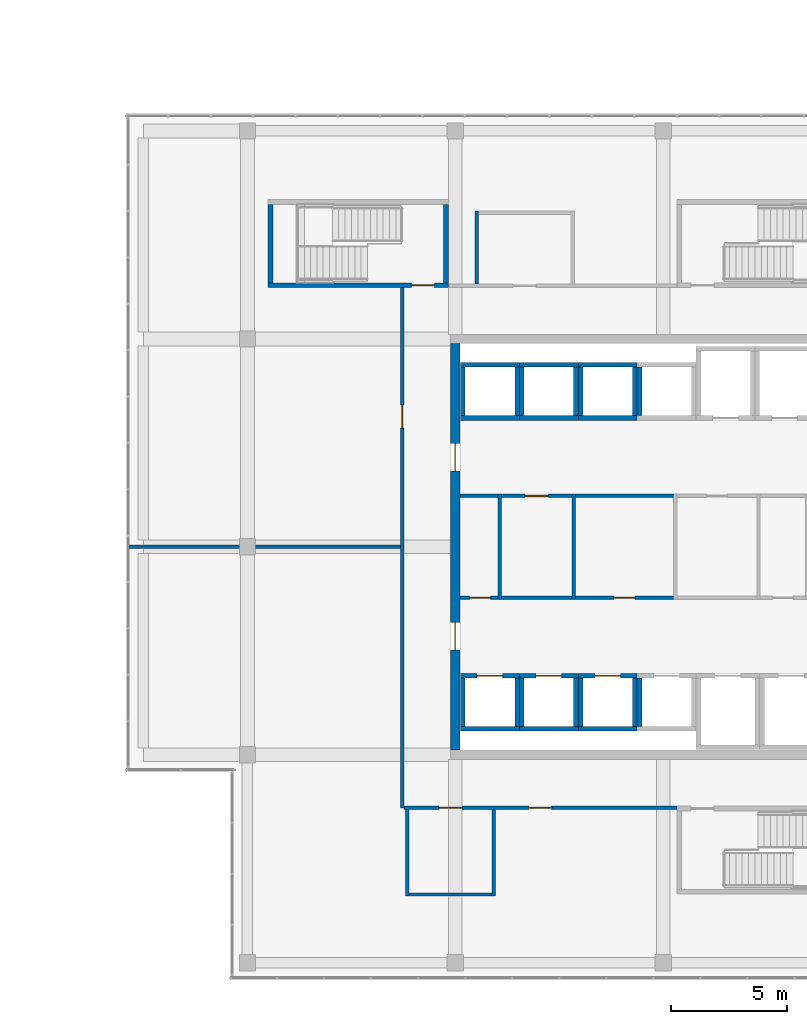
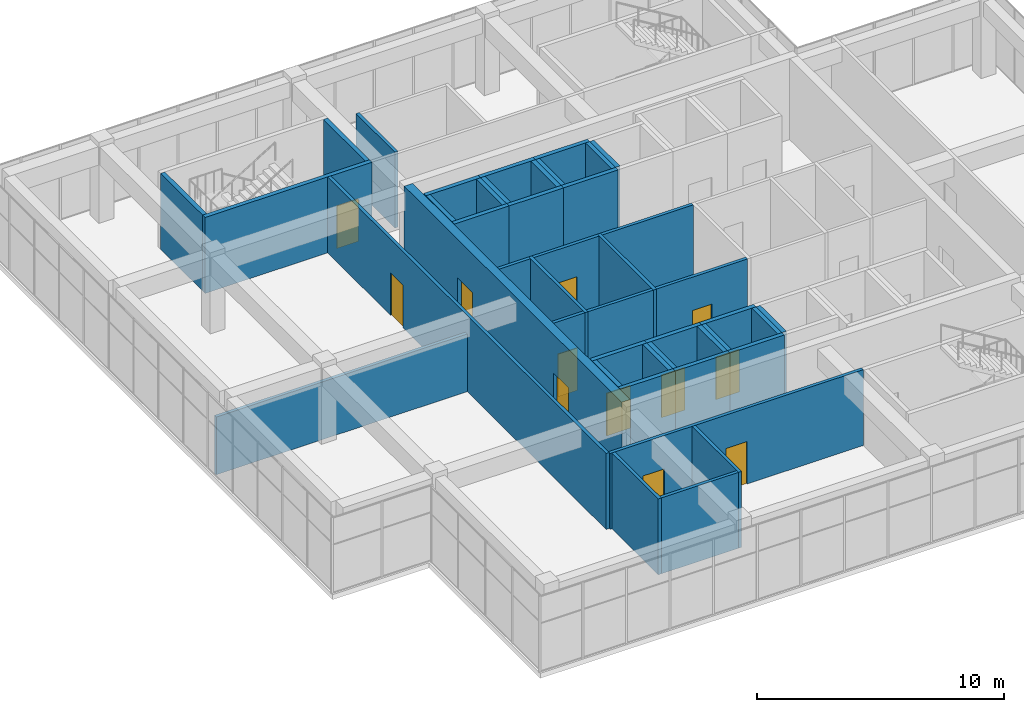
# One storey, part 39 of 43: 45 walls, 12 doors, 12 openings.
"""IFC4 building model written with IfcOpenShell, lengths in metres."""

from ifc_helpers import new_model, si_unit, direction, frame, frame_2d, origin, place, context, subcontext, project, spatial, rectangle, extrude, material, layer, layer_set, type_object, element, fill, save


model = new_model("IFC4")

# Units and contexts
model_context = context("Model", 3, precision=1e-05, world=origin(), true_north=direction((0.0, 1.0)))
body_context = subcontext(model_context, "Body", "Model", "MODEL_VIEW")
ifc_project = project(units=[si_unit("LENGTHUNIT", "METRE"), si_unit("AREAUNIT", "SQUARE_METRE"), si_unit("VOLUMEUNIT", "CUBIC_METRE"), si_unit("PLANEANGLEUNIT", "RADIAN"), si_unit("MASSUNIT", "GRAM", prefix="KILO")], contexts=[model_context])

# Site, building, storey
site_placement = place(None, origin())
site = spatial("IfcSite", under=ifc_project, at=site_placement, CompositionType="ELEMENT")
building_placement = place(site_placement, origin())
building = spatial("IfcBuilding", under=site, at=building_placement, Name="Tuart Plaza Theatre", CompositionType="ELEMENT")
storey_placement = place(building_placement, frame((0.0, 0.0, 33.5)))
storey = spatial("IfcBuildingStorey", under=building, at=storey_placement, Name="L08", CompositionType="ELEMENT", Elevation=33.5)

# Wall
ifc_material_1 = material(Name="Masonry block", Category="masonry")
ifc_layer_1 = layer(ifc_material_1, 0.14990234375)
ifc_layer_set_1 = layer_set([ifc_layer_1], Name="PARTITION BLK150 MASONRYB FRL -/120/120")
wall_type_1 = type_object("IfcWallType", Name="PARTITION BLK150 MASONRYB FRL -/120/120", PredefinedType="PARTITIONING", material=ifc_layer_set_1)
wall_1_placement = place(storey_placement, frame((124.925048828125, 71.72509765625, 0.0), z_axis=(0.0, 0.0, 1.0), x_axis=(0.0, 1.0, 0.0)))
element("IfcWall", 1, at=wall_1_placement, inside=storey, type_object=wall_type_1, Name="P636", PredefinedType="PARTITIONING", context=body_context, shape_type="SweptSolid", body=[
    extrude(rectangle(XDim=4.5498046875, YDim=0.14990234375, at=frame_2d((2.27490234375, 0.0))), origin(), (0.0, 0.0, 1.0), 3.75),
])

# Wall, opening, door
wall_2_placement = place(storey_placement, frame((123.199951171875, 71.800048828125, 0.0), z_axis=(0.0, 0.0, 1.0), x_axis=(1.0, 0.0, 0.0)))
wall_2 = element("IfcWall", 2, at=wall_2_placement, inside=storey, type_object=wall_type_1, Name="P637", PredefinedType="PARTITIONING", context=body_context, shape_type="SweptSolid", body=[
    extrude(rectangle(XDim=1.650146484375, YDim=0.14990234375, at=frame_2d((0.8251953125, 0.0))), origin(), (0.0, 0.0, 1.0), 3.75),
])
opening_1_placement = place(wall_2_placement, frame((0.425048828125, 0.0, 0.0)))
opening_1 = element("IfcOpeningElement", 3, at=opening_1_placement, cuts=wall_2, Name="Opening L08-016", PredefinedType="OPENING", context=body_context, shape_type="SweptSolid", body=[
    extrude(rectangle(XDim=0.89990234375, YDim=2.10009765625, at=frame_2d((0.449951171875, 1.050048828125))), frame((0.0, 0.0849609375, 0.0), z_axis=(0.0, -1.0, 0.0), x_axis=(1.0, 0.0, 0.0)), (0.0, 0.0, 1.0), 0.169921875),
])
ifc_material_2 = material(Name="Steel Grade 300", Category="steel")
door_type_1 = type_object("IfcDoorType", Name="DOOR 900x2100 steel single swing FRL -/120/30", OperationType="SINGLE_SWING_LEFT", PredefinedType="DOOR", material=ifc_material_2)
door_1_placement = place(opening_1_placement, origin())
door_1 = element("IfcDoor", 4, at=door_1_placement, inside=storey, type_object=door_type_1, Name="L08-016", OperationType="SINGLE_SWING_LEFT", OverallHeight=2.10009765625, OverallWidth=0.89990234375, PredefinedType="DOOR", context=body_context, shape_type="SweptSolid", body=[
    extrude(rectangle(XDim=0.89990234375, YDim=2.10009765625, at=frame_2d((0.449951171875, 1.050048828125))), frame((0.0, 0.02490234375, 0.0), z_axis=(0.0, -1.0, 0.0), x_axis=(1.0, 0.0, 0.0)), (0.0, 0.0, 1.0), 0.050048828125),
])
fill(opening_1, door_1)

# Walls
wall_3_placement = place(storey_placement, frame((123.199951171875, 76.199951171875, 0.0), z_axis=(0.0, 0.0, 1.0), x_axis=(1.0, 0.0, 0.0)))
element("IfcWall", 5, at=wall_3_placement, inside=storey, type_object=wall_type_1, Name="P638", PredefinedType="PARTITIONING", context=body_context, shape_type="SweptSolid", body=[
    extrude(rectangle(XDim=1.650146484375, YDim=0.14990234375, at=frame_2d((0.8251953125, 0.0))), origin(), (0.0, 0.0, 1.0), 3.75),
])
wall_4_placement = place(storey_placement, frame((128.125, 71.72509765625, 0.0), z_axis=(0.0, 0.0, 1.0), x_axis=(0.0, 1.0, 0.0)))
element("IfcWall", 6, at=wall_4_placement, inside=storey, type_object=wall_type_1, Name="P639", PredefinedType="PARTITIONING", context=body_context, shape_type="SweptSolid", body=[
    extrude(rectangle(XDim=4.5498046875, YDim=0.14990234375, at=frame_2d((2.27490234375, 0.0))), origin(), (0.0, 0.0, 1.0), 3.75),
])
wall_5_placement = place(storey_placement, frame((125.0, 71.800048828125, 0.0), z_axis=(0.0, 0.0, 1.0), x_axis=(1.0, 0.0, 0.0)))
element("IfcWall", 7, at=wall_5_placement, inside=storey, type_object=wall_type_1, Name="P640", PredefinedType="PARTITIONING", context=body_context, shape_type="SweptSolid", body=[
    extrude(rectangle(XDim=3.050048828125, YDim=0.14990234375, at=frame_2d((1.52490234375, 0.0))), origin(), (0.0, 0.0, 1.0), 3.75),
])

# Wall, opening, door
wall_6_placement = place(storey_placement, frame((125.0, 76.199951171875, 0.0), z_axis=(0.0, 0.0, 1.0), x_axis=(1.0, 0.0, 0.0)))
wall_6 = element("IfcWall", 8, at=wall_6_placement, inside=storey, type_object=wall_type_1, Name="P641", PredefinedType="PARTITIONING", context=body_context, shape_type="SweptSolid", body=[
    extrude(rectangle(XDim=3.050048828125, YDim=0.14990234375, at=frame_2d((1.52490234375, 0.0))), origin(), (0.0, 0.0, 1.0), 3.75),
])
opening_2_placement = place(wall_6_placement, frame((1.02490234375, 0.0, 0.0)))
opening_2 = element("IfcOpeningElement", 9, at=opening_2_placement, cuts=wall_6, Name="Opening L08-017", PredefinedType="OPENING", context=body_context, shape_type="SweptSolid", body=[
    extrude(rectangle(XDim=1.0, YDim=2.10009765625, at=frame_2d((0.5, 1.050048828125))), frame((0.0, 0.0849609375, 0.0), z_axis=(0.0, -1.0, 0.0), x_axis=(1.0, 0.0, 0.0)), (0.0, 0.0, 1.0), 0.169921875),
])
ifc_material_3 = material(Name="Steel Grade 300", Category="steel")
door_type_2 = type_object("IfcDoorType", Name="DOOR 1000x2100 steel single swing FRL -/120/30", OperationType="SINGLE_SWING_LEFT", PredefinedType="DOOR", material=ifc_material_3)
door_2_placement = place(opening_2_placement, frame((1.0, 0.0, 0.0), z_axis=(0.0, 0.0, 1.0), x_axis=(-1.0, 0.0, 0.0)))
door_2 = element("IfcDoor", 10, at=door_2_placement, inside=storey, type_object=door_type_2, Name="L08-017", OperationType="SINGLE_SWING_LEFT", OverallHeight=2.10009765625, OverallWidth=1.0, PredefinedType="DOOR", context=body_context, shape_type="SweptSolid", body=[
    extrude(rectangle(XDim=1.0, YDim=2.10009765625, at=frame_2d((0.5, 1.050048828125))), frame((0.0, 0.02490234375, 0.0), z_axis=(0.0, -1.0, 0.0), x_axis=(1.0, 0.0, 0.0)), (0.0, 0.0, 1.0), 0.050048828125),
])
fill(opening_2, door_2)

wall_7_placement = place(storey_placement, frame((128.199951171875, 71.800048828125, 0.0), z_axis=(0.0, 0.0, 1.0), x_axis=(1.0, 0.0, 0.0)))
wall_7 = element("IfcWall", 11, at=wall_7_placement, inside=storey, type_object=wall_type_1, Name="P643", PredefinedType="PARTITIONING", context=body_context, shape_type="SweptSolid", body=[
    extrude(rectangle(XDim=4.25, YDim=0.14990234375, at=frame_2d((2.125, 0.0))), origin(), (0.0, 0.0, 1.0), 3.75),
])
opening_3_placement = place(wall_7_placement, frame((1.675048828125, 0.0, 0.0)))
opening_3 = element("IfcOpeningElement", 12, at=opening_3_placement, cuts=wall_7, Name="Opening L08-018", PredefinedType="OPENING", context=body_context, shape_type="SweptSolid", body=[
    extrude(rectangle(XDim=0.89990234375, YDim=2.10009765625, at=frame_2d((0.449951171875, 1.050048828125))), frame((0.0, 0.0849609375, 0.0), z_axis=(0.0, -1.0, 0.0), x_axis=(1.0, 0.0, 0.0)), (0.0, 0.0, 1.0), 0.169921875),
])
door_3_placement = place(opening_3_placement, origin())
door_3 = element("IfcDoor", 13, at=door_3_placement, inside=storey, type_object=door_type_1, Name="L08-018", OperationType="SINGLE_SWING_RIGHT", OverallHeight=2.10009765625, OverallWidth=0.89990234375, PredefinedType="DOOR", context=body_context, shape_type="SweptSolid", body=[
    extrude(rectangle(XDim=0.89990234375, YDim=2.10009765625, at=frame_2d((0.449951171875, 1.050048828125))), frame((0.0, 0.02490234375, 0.0), z_axis=(0.0, -1.0, 0.0), x_axis=(1.0, 0.0, 0.0)), (0.0, 0.0, 1.0), 0.050048828125),
])
fill(opening_3, door_3)

# Wall
wall_8_placement = place(storey_placement, frame((128.199951171875, 76.199951171875, 0.0), z_axis=(0.0, 0.0, 1.0), x_axis=(1.0, 0.0, 0.0)))
element("IfcWall", 14, at=wall_8_placement, inside=storey, type_object=wall_type_1, Name="P644", PredefinedType="PARTITIONING", context=body_context, shape_type="SweptSolid", body=[
    extrude(rectangle(XDim=4.25, YDim=0.14990234375, at=frame_2d((2.125, 0.0))), origin(), (0.0, 0.0, 1.0), 3.75),
])

# Wall, opening, door
ifc_material_4 = material(Name="Masonry block", Category="masonry")
ifc_layer_2 = layer(ifc_material_4, 0.14990234375)
ifc_layer_set_2 = layer_set([ifc_layer_2], Name="PARTITION BLK150 MASONRYB FRL 120/-/-")
wall_type_2 = type_object("IfcWallType", Name="PARTITION BLK150 MASONRYB FRL 120/-/-", PredefinedType="PARTITIONING", material=ifc_layer_set_2)
wall_9_placement = place(storey_placement, frame((120.699951171875, 62.699951171875, 0.0), z_axis=(0.0, 0.0, 1.0), x_axis=(0.0, 1.0, 0.0)))
wall_9 = element("IfcWall", 15, at=wall_9_placement, inside=storey, type_object=wall_type_2, Name="P653", PredefinedType="PARTITIONING", context=body_context, shape_type="SweptSolid", body=[
    extrude(rectangle(XDim=22.525146484375, YDim=0.14990234375, at=frame_2d((11.2626953125, 0.0))), origin(), (0.0, 0.0, 1.0), 3.75),
])
opening_4_placement = place(wall_9_placement, frame((16.43505859375, 0.0, 0.0)))
opening_4 = element("IfcOpeningElement", 16, at=opening_4_placement, cuts=wall_9, Name="Opening L08-026", PredefinedType="OPENING", context=body_context, shape_type="SweptSolid", body=[
    extrude(rectangle(XDim=1.0, YDim=2.10009765625, at=frame_2d((0.5, 1.050048828125))), frame((0.0, 0.0849609375, 0.0), z_axis=(0.0, -1.0, 0.0), x_axis=(1.0, 0.0, 0.0)), (0.0, 0.0, 1.0), 0.169921875),
])
ifc_material_5 = material(Name="Timber", Category="wood")
door_type_3 = type_object("IfcDoorType", Name="DOOR 1000x2100 timber single swing FRL -/60/30", OperationType="SINGLE_SWING_LEFT", PredefinedType="DOOR", material=ifc_material_5)
door_4_placement = place(opening_4_placement, origin())
door_4 = element("IfcDoor", 17, at=door_4_placement, inside=storey, type_object=door_type_3, Name="L08-026", OperationType="SINGLE_SWING_LEFT", OverallHeight=2.10009765625, OverallWidth=1.0, PredefinedType="DOOR", context=body_context, shape_type="SweptSolid", body=[
    extrude(rectangle(XDim=1.0, YDim=2.10009765625, at=frame_2d((0.5, 1.050048828125))), frame((0.0, 0.02490234375, 0.0), z_axis=(0.0, -1.0, 0.0), x_axis=(1.0, 0.0, 0.0)), (0.0, 0.0, 1.0), 0.050048828125),
])
fill(opening_4, door_4)

# Wall, openings, doors
wall_10_placement = place(storey_placement, frame((132.60009765625, 62.699951171875, 0.0), z_axis=(0.0, 0.0, 1.0), x_axis=(-1.0, 0.0, 0.0)))
wall_10 = element("IfcWall", 18, at=wall_10_placement, inside=storey, type_object=wall_type_2, Name="P654", PredefinedType="PARTITIONING", context=body_context, shape_type="SweptSolid", body=[
    extrude(rectangle(XDim=11.8251953125, YDim=0.14990234375, at=frame_2d((5.91259765625, 0.0))), origin(), (0.0, 0.0, 1.0), 3.75),
])
opening_5_placement = place(wall_10_placement, frame((9.300048828125, 0.0, 0.0)))
opening_5 = element("IfcOpeningElement", 19, at=opening_5_placement, cuts=wall_10, Name="Opening L08-022", PredefinedType="OPENING", context=body_context, shape_type="SweptSolid", body=[
    extrude(rectangle(XDim=1.0, YDim=2.10009765625, at=frame_2d((0.5, 1.050048828125))), frame((0.0, 0.0849609375, 0.0), z_axis=(0.0, -1.0, 0.0), x_axis=(1.0, 0.0, 0.0)), (0.0, 0.0, 1.0), 0.169921875),
])
opening_6_placement = place(wall_10_placement, frame((5.427490234375, 0.0, 0.0)))
opening_6 = element("IfcOpeningElement", 20, at=opening_6_placement, cuts=wall_10, Name="Opening L08-024", PredefinedType="OPENING", context=body_context, shape_type="SweptSolid", body=[
    extrude(rectangle(XDim=1.0, YDim=2.10009765625, at=frame_2d((0.5, 1.050048828125))), frame((0.0, 0.0849609375, 0.0), z_axis=(0.0, -1.0, 0.0), x_axis=(1.0, 0.0, 0.0)), (0.0, 0.0, 1.0), 0.169921875),
])
door_5_placement = place(opening_5_placement, origin())
door_5 = element("IfcDoor", 21, at=door_5_placement, inside=storey, type_object=door_type_3, Name="L08-022", OperationType="SINGLE_SWING_LEFT", OverallHeight=2.10009765625, OverallWidth=1.0, PredefinedType="DOOR", context=body_context, shape_type="SweptSolid", body=[
    extrude(rectangle(XDim=1.0, YDim=2.10009765625, at=frame_2d((0.5, 1.050048828125))), frame((0.0, 0.02490234375, 0.0), z_axis=(0.0, -1.0, 0.0), x_axis=(1.0, 0.0, 0.0)), (0.0, 0.0, 1.0), 0.050048828125),
])
fill(opening_5, door_5)
door_6_placement = place(opening_6_placement, origin())
door_6 = element("IfcDoor", 22, at=door_6_placement, inside=storey, type_object=door_type_3, Name="L08-024", OperationType="SINGLE_SWING_LEFT", OverallHeight=2.10009765625, OverallWidth=1.0, PredefinedType="DOOR", context=body_context, shape_type="SweptSolid", body=[
    extrude(rectangle(XDim=1.0, YDim=2.10009765625, at=frame_2d((0.5, 1.050048828125))), frame((0.0, 0.02490234375, 0.0), z_axis=(0.0, -1.0, 0.0), x_axis=(1.0, 0.0, 0.0)), (0.0, 0.0, 1.0), 0.050048828125),
])
fill(opening_6, door_6)

# Walls
wall_11_placement = place(storey_placement, frame((108.89990234375, 74.0, 0.0), z_axis=(0.0, 0.0, 1.0), x_axis=(1.0, 0.0, 0.0)))
element("IfcWall", 23, at=wall_11_placement, inside=storey, type_object=wall_type_2, Name="P659", PredefinedType="PARTITIONING", context=body_context, shape_type="SweptSolid", body=[
    extrude(rectangle(XDim=11.72607421875, YDim=0.14990234375, at=frame_2d((5.863037109375, 0.0))), origin(), (0.0, 0.0, 1.0), 2.85009765625),
])
wall_12_placement = place(storey_placement, frame((121.0, 58.949951171875, 0.0), z_axis=(0.0, 0.0, 1.0), x_axis=(1.0, 0.0, 0.0)))
element("IfcWall", 24, at=wall_12_placement, inside=storey, type_object=wall_type_2, Name="P660", PredefinedType="PARTITIONING", context=body_context, shape_type="SweptSolid", body=[
    extrude(rectangle(XDim=3.60009765625, YDim=0.14990234375, at=frame_2d((1.800048828125, 0.0))), origin(), (0.0, 0.0, 1.0), 3.75),
])
for number, where, z_axis, x_axis, name in (
    (25, (120.925048828125, 62.625, 0.0), (0.0, 0.0, 1.0), (0.0, -1.0, 0.0), "P661"),
    (26, (124.675048828125, 62.625, 0.0), (0.0, 0.0, 1.0), (0.0, -1.0, 0.0), "P662"),
):
    element("IfcWall", number, at=place(storey_placement, frame(where, z_axis=z_axis, x_axis=x_axis)), inside=storey, type_object=wall_type_2, Name=name, PredefinedType="PARTITIONING", context=body_context, shape_type="SweptSolid", body=[
        extrude(rectangle(XDim=3.75, YDim=0.14990234375, at=frame_2d((1.875, 0.0))), origin(), (0.0, 0.0, 1.0), 3.75),
    ])
wall_13_placement = place(storey_placement, frame((123.925048828125, 85.375, 0.0), z_axis=(0.0, 0.0, 1.0), x_axis=(0.0, 1.0, 0.0)))
element("IfcWall", 27, at=wall_13_placement, inside=storey, type_object=wall_type_2, Name="P664", PredefinedType="PARTITIONING", context=body_context, shape_type="SweptSolid", body=[
    extrude(rectangle(XDim=3.14990234375, YDim=0.14990234375, at=frame_2d((1.574951171875, 0.0))), origin(), (0.0, 0.0, 1.0), 3.75),
])
ifc_material_6 = material(Name="Concrete N40 (40 MPa)", Category="concrete")
ifc_layer_3 = layer(ifc_material_6, 0.199951171875)
ifc_layer_set_3 = layer_set([ifc_layer_3], Name="SHEAR WALL RC200 FRL 120/120/120")
wall_type_3 = type_object("IfcWallType", Name="SHEAR WALL RC200 FRL 120/120/120", PredefinedType="SHEAR", material=ifc_layer_set_3)
wall_14_placement = place(storey_placement, frame((123.22509765625, 66.125, 0.0), z_axis=(0.0, 0.0, 1.0), x_axis=(1.0, 0.0, 0.0)))
element("IfcWall", 28, at=wall_14_placement, inside=storey, type_object=wall_type_3, Name="W582", PredefinedType="SHEAR", context=body_context, shape_type="SweptSolid", body=[
    extrude(rectangle(XDim=2.5498046875, YDim=0.199951171875, at=frame_2d((1.27490234375, 0.0))), origin(), (0.0, 0.0, 1.0), 4.0),
])
wall_15_placement = place(storey_placement, frame((125.675048828125, 66.22509765625, 0.0), z_axis=(0.0, 0.0, 1.0), x_axis=(0.0, 1.0, 0.0)))
element("IfcWall", 29, at=wall_15_placement, inside=storey, type_object=wall_type_3, Name="W583", PredefinedType="SHEAR", context=body_context, shape_type="SweptSolid", body=[
    extrude(rectangle(XDim=2.099853515625, YDim=0.199951171875, at=frame_2d((1.0498046875, 0.0))), origin(), (0.0, 0.0, 1.0), 4.0),
])

# Wall, opening, door
wall_16_placement = place(storey_placement, frame((125.77490234375, 68.425048828125, 0.0), z_axis=(0.0, 0.0, 1.0), x_axis=(-1.0, 0.0, 0.0)))
wall_16 = element("IfcWall", 30, at=wall_16_placement, inside=storey, type_object=wall_type_3, Name="W584", PredefinedType="SHEAR", context=body_context, shape_type="SweptSolid", body=[
    extrude(rectangle(XDim=2.5498046875, YDim=0.199951171875, at=frame_2d((1.27490234375, 0.0))), origin(), (0.0, 0.0, 1.0), 4.0),
])
opening_7_placement = place(wall_16_placement, frame((0.72509765625, 0.0, 0.0)))
opening_7 = element("IfcOpeningElement", 31, at=opening_7_placement, cuts=wall_16, Name="Opening L08-001", PredefinedType="OPENING", context=body_context, shape_type="SweptSolid", body=[
    extrude(rectangle(XDim=1.10009765625, YDim=2.10009765625, at=frame_2d((0.550048828125, 1.050048828125))), frame((0.0, 0.10986328125, 0.0), z_axis=(0.0, -1.0, 0.0), x_axis=(1.0, 0.0, 0.0)), (0.0, 0.0, 1.0), 0.219970703125),
])
ifc_material_7 = material(Name="Steel Grade 300", Category="steel")
door_type_4 = type_object("IfcDoorType", Name="LANDING DOOR 1100x2100 steel sliding FRL -/120/30", OperationType="SLIDING_TO_LEFT", PredefinedType="DOOR", material=ifc_material_7)
door_7_placement = place(opening_7_placement, origin())
door_7 = element("IfcDoor", 32, at=door_7_placement, inside=storey, type_object=door_type_4, Name="L08-001", OperationType="SLIDING_TO_LEFT", OverallHeight=2.10009765625, OverallWidth=1.10009765625, PredefinedType="DOOR", context=body_context, shape_type="SweptSolid", body=[
    extrude(rectangle(XDim=1.10009765625, YDim=2.10009765625, at=frame_2d((0.550048828125, 1.050048828125))), frame((0.0, 0.02490234375, 0.0), z_axis=(0.0, -1.0, 0.0), x_axis=(1.0, 0.0, 0.0)), (0.0, 0.0, 1.0), 0.050048828125),
])
fill(opening_7, door_7)

# Walls
wall_17_placement = place(storey_placement, frame((123.324951171875, 68.324951171875, 0.0), z_axis=(0.0, 0.0, 1.0), x_axis=(0.0, -1.0, 0.0)))
element("IfcWall", 33, at=wall_17_placement, inside=storey, type_object=wall_type_3, Name="W585", PredefinedType="SHEAR", context=body_context, shape_type="SweptSolid", body=[
    extrude(rectangle(XDim=2.099853515625, YDim=0.199951171875, at=frame_2d((1.0498046875, 0.0))), origin(), (0.0, 0.0, 1.0), 4.0),
])
wall_18_placement = place(storey_placement, frame((125.77490234375, 66.125, 0.0), z_axis=(0.0, 0.0, 1.0), x_axis=(1.0, 0.0, 0.0)))
element("IfcWall", 34, at=wall_18_placement, inside=storey, type_object=wall_type_3, Name="W626", PredefinedType="SHEAR", context=body_context, shape_type="SweptSolid", body=[
    extrude(rectangle(XDim=2.550048828125, YDim=0.199951171875, at=frame_2d((1.27490234375, 0.0))), origin(), (0.0, 0.0, 1.0), 4.0),
])
wall_19_placement = place(storey_placement, frame((128.22509765625, 66.22509765625, 0.0), z_axis=(0.0, 0.0, 1.0), x_axis=(0.0, 1.0, 0.0)))
element("IfcWall", 35, at=wall_19_placement, inside=storey, type_object=wall_type_3, Name="W627", PredefinedType="SHEAR", context=body_context, shape_type="SweptSolid", body=[
    extrude(rectangle(XDim=2.099853515625, YDim=0.199951171875, at=frame_2d((1.0498046875, 0.0))), origin(), (0.0, 0.0, 1.0), 4.0),
])

# Wall, opening, door
wall_20_placement = place(storey_placement, frame((128.324951171875, 68.425048828125, 0.0), z_axis=(0.0, 0.0, 1.0), x_axis=(-1.0, 0.0, 0.0)))
wall_20 = element("IfcWall", 36, at=wall_20_placement, inside=storey, type_object=wall_type_3, Name="W628", PredefinedType="SHEAR", context=body_context, shape_type="SweptSolid", body=[
    extrude(rectangle(XDim=2.550048828125, YDim=0.199951171875, at=frame_2d((1.27490234375, 0.0))), origin(), (0.0, 0.0, 1.0), 4.0),
])
opening_8_placement = place(wall_20_placement, frame((0.72509765625, 0.0, 0.0)))
opening_8 = element("IfcOpeningElement", 37, at=opening_8_placement, cuts=wall_20, Name="Opening L08-002", PredefinedType="OPENING", context=body_context, shape_type="SweptSolid", body=[
    extrude(rectangle(XDim=1.10009765625, YDim=2.10009765625, at=frame_2d((0.550048828125, 1.050048828125))), frame((0.0, 0.10986328125, 0.0), z_axis=(0.0, -1.0, 0.0), x_axis=(1.0, 0.0, 0.0)), (0.0, 0.0, 1.0), 0.219970703125),
])
door_8_placement = place(opening_8_placement, origin())
door_8 = element("IfcDoor", 38, at=door_8_placement, inside=storey, type_object=door_type_4, Name="L08-002", OperationType="SLIDING_TO_LEFT", OverallHeight=2.10009765625, OverallWidth=1.10009765625, PredefinedType="DOOR", context=body_context, shape_type="SweptSolid", body=[
    extrude(rectangle(XDim=1.10009765625, YDim=2.10009765625, at=frame_2d((0.550048828125, 1.050048828125))), frame((0.0, 0.02490234375, 0.0), z_axis=(0.0, -1.0, 0.0), x_axis=(1.0, 0.0, 0.0)), (0.0, 0.0, 1.0), 0.050048828125),
])
fill(opening_8, door_8)

# Walls
wall_21_placement = place(storey_placement, frame((125.875, 68.324951171875, 0.0), z_axis=(0.0, 0.0, 1.0), x_axis=(0.0, -1.0, 0.0)))
element("IfcWall", 39, at=wall_21_placement, inside=storey, type_object=wall_type_3, Name="W629", PredefinedType="SHEAR", context=body_context, shape_type="SweptSolid", body=[
    extrude(rectangle(XDim=2.099853515625, YDim=0.199951171875, at=frame_2d((1.0498046875, 0.0))), origin(), (0.0, 0.0, 1.0), 4.0),
])
wall_22_placement = place(storey_placement, frame((128.324951171875, 66.125, 0.0), z_axis=(0.0, 0.0, 1.0), x_axis=(1.0, 0.0, 0.0)))
element("IfcWall", 40, at=wall_22_placement, inside=storey, type_object=wall_type_3, Name="W670", PredefinedType="SHEAR", context=body_context, shape_type="SweptSolid", body=[
    extrude(rectangle(XDim=2.550048828125, YDim=0.199951171875, at=frame_2d((1.27490234375, 0.0))), origin(), (0.0, 0.0, 1.0), 4.0),
])
wall_23_placement = place(storey_placement, frame((130.77490234375, 66.22509765625, 0.0), z_axis=(0.0, 0.0, 1.0), x_axis=(0.0, 1.0, 0.0)))
element("IfcWall", 41, at=wall_23_placement, inside=storey, type_object=wall_type_3, Name="W671", PredefinedType="SHEAR", context=body_context, shape_type="SweptSolid", body=[
    extrude(rectangle(XDim=2.099853515625, YDim=0.199951171875, at=frame_2d((1.0498046875, 0.0))), origin(), (0.0, 0.0, 1.0), 4.0),
])

# Wall, opening, door
wall_24_placement = place(storey_placement, frame((130.875, 68.425048828125, 0.0), z_axis=(0.0, 0.0, 1.0), x_axis=(-1.0, 0.0, 0.0)))
wall_24 = element("IfcWall", 42, at=wall_24_placement, inside=storey, type_object=wall_type_3, Name="W672", PredefinedType="SHEAR", context=body_context, shape_type="SweptSolid", body=[
    extrude(rectangle(XDim=2.550048828125, YDim=0.199951171875, at=frame_2d((1.27490234375, 0.0))), origin(), (0.0, 0.0, 1.0), 4.0),
])
opening_9_placement = place(wall_24_placement, frame((0.72509765625, 0.0, 0.0)))
opening_9 = element("IfcOpeningElement", 43, at=opening_9_placement, cuts=wall_24, Name="Opening L08-003", PredefinedType="OPENING", context=body_context, shape_type="SweptSolid", body=[
    extrude(rectangle(XDim=1.10009765625, YDim=2.10009765625, at=frame_2d((0.550048828125, 1.050048828125))), frame((0.0, 0.10986328125, 0.0), z_axis=(0.0, -1.0, 0.0), x_axis=(1.0, 0.0, 0.0)), (0.0, 0.0, 1.0), 0.219970703125),
])
door_9_placement = place(opening_9_placement, origin())
door_9 = element("IfcDoor", 44, at=door_9_placement, inside=storey, type_object=door_type_4, Name="L08-003", OperationType="SLIDING_TO_LEFT", OverallHeight=2.10009765625, OverallWidth=1.10009765625, PredefinedType="DOOR", context=body_context, shape_type="SweptSolid", body=[
    extrude(rectangle(XDim=1.10009765625, YDim=2.10009765625, at=frame_2d((0.550048828125, 1.050048828125))), frame((0.0, 0.02490234375, 0.0), z_axis=(0.0, -1.0, 0.0), x_axis=(1.0, 0.0, 0.0)), (0.0, 0.0, 1.0), 0.050048828125),
])
fill(opening_9, door_9)

# Walls
for number, where, z_axis, x_axis, name in (
    (45, (128.425048828125, 68.324951171875, 0.0), (0.0, 0.0, 1.0), (0.0, -1.0, 0.0), "W673"),
    (46, (130.97509765625, 68.324951171875, 0.0), (0.0, 0.0, 1.0), (0.0, -1.0, 0.0), "W717"),
):
    element("IfcWall", number, at=place(storey_placement, frame(where, z_axis=z_axis, x_axis=x_axis)), inside=storey, type_object=wall_type_3, Name=name, PredefinedType="SHEAR", context=body_context, shape_type="SweptSolid", body=[
        extrude(rectangle(XDim=2.099853515625, YDim=0.199951171875, at=frame_2d((1.0498046875, 0.0))), origin(), (0.0, 0.0, 1.0), 4.0),
    ])
wall_25_placement = place(storey_placement, frame((123.22509765625, 79.574951171875, 0.0), z_axis=(0.0, 0.0, 1.0), x_axis=(1.0, 0.0, 0.0)))
element("IfcWall", 47, at=wall_25_placement, inside=storey, type_object=wall_type_3, Name="W758", PredefinedType="SHEAR", context=body_context, shape_type="SweptSolid", body=[
    extrude(rectangle(XDim=2.5498046875, YDim=0.199951171875, at=frame_2d((1.27490234375, 0.0))), origin(), (0.0, 0.0, 1.0), 4.0),
])
wall_26_placement = place(storey_placement, frame((125.675048828125, 79.675048828125, 0.0), z_axis=(0.0, 0.0, 1.0), x_axis=(0.0, 1.0, 0.0)))
element("IfcWall", 48, at=wall_26_placement, inside=storey, type_object=wall_type_3, Name="W759", PredefinedType="SHEAR", context=body_context, shape_type="SweptSolid", body=[
    extrude(rectangle(XDim=2.099853515625, YDim=0.199951171875, at=frame_2d((1.0498046875, 0.0))), origin(), (0.0, 0.0, 1.0), 4.0),
])
wall_27_placement = place(storey_placement, frame((125.77490234375, 81.875, 0.0), z_axis=(0.0, 0.0, 1.0), x_axis=(-1.0, 0.0, 0.0)))
element("IfcWall", 49, at=wall_27_placement, inside=storey, type_object=wall_type_3, Name="W760", PredefinedType="SHEAR", context=body_context, shape_type="SweptSolid", body=[
    extrude(rectangle(XDim=2.5498046875, YDim=0.199951171875, at=frame_2d((1.27490234375, 0.0))), origin(), (0.0, 0.0, 1.0), 4.0),
])
wall_28_placement = place(storey_placement, frame((123.324951171875, 81.77490234375, 0.0), z_axis=(0.0, 0.0, 1.0), x_axis=(0.0, -1.0, 0.0)))
element("IfcWall", 50, at=wall_28_placement, inside=storey, type_object=wall_type_3, Name="W761", PredefinedType="SHEAR", context=body_context, shape_type="SweptSolid", body=[
    extrude(rectangle(XDim=2.099853515625, YDim=0.199951171875, at=frame_2d((1.0498046875, 0.0))), origin(), (0.0, 0.0, 1.0), 4.0),
])
wall_29_placement = place(storey_placement, frame((125.77490234375, 79.574951171875, 0.0), z_axis=(0.0, 0.0, 1.0), x_axis=(1.0, 0.0, 0.0)))
element("IfcWall", 51, at=wall_29_placement, inside=storey, type_object=wall_type_3, Name="W830", PredefinedType="SHEAR", context=body_context, shape_type="SweptSolid", body=[
    extrude(rectangle(XDim=2.550048828125, YDim=0.199951171875, at=frame_2d((1.27490234375, 0.0))), origin(), (0.0, 0.0, 1.0), 4.0),
])
wall_30_placement = place(storey_placement, frame((128.22509765625, 79.675048828125, 0.0), z_axis=(0.0, 0.0, 1.0), x_axis=(0.0, 1.0, 0.0)))
element("IfcWall", 52, at=wall_30_placement, inside=storey, type_object=wall_type_3, Name="W831", PredefinedType="SHEAR", context=body_context, shape_type="SweptSolid", body=[
    extrude(rectangle(XDim=2.099853515625, YDim=0.199951171875, at=frame_2d((1.0498046875, 0.0))), origin(), (0.0, 0.0, 1.0), 4.0),
])
wall_31_placement = place(storey_placement, frame((128.324951171875, 81.875, 0.0), z_axis=(0.0, 0.0, 1.0), x_axis=(-1.0, 0.0, 0.0)))
element("IfcWall", 53, at=wall_31_placement, inside=storey, type_object=wall_type_3, Name="W832", PredefinedType="SHEAR", context=body_context, shape_type="SweptSolid", body=[
    extrude(rectangle(XDim=2.550048828125, YDim=0.199951171875, at=frame_2d((1.27490234375, 0.0))), origin(), (0.0, 0.0, 1.0), 4.0),
])
wall_32_placement = place(storey_placement, frame((125.875, 81.77490234375, 0.0), z_axis=(0.0, 0.0, 1.0), x_axis=(0.0, -1.0, 0.0)))
element("IfcWall", 54, at=wall_32_placement, inside=storey, type_object=wall_type_3, Name="W833", PredefinedType="SHEAR", context=body_context, shape_type="SweptSolid", body=[
    extrude(rectangle(XDim=2.099853515625, YDim=0.199951171875, at=frame_2d((1.0498046875, 0.0))), origin(), (0.0, 0.0, 1.0), 4.0),
])
wall_33_placement = place(storey_placement, frame((128.324951171875, 79.574951171875, 0.0), z_axis=(0.0, 0.0, 1.0), x_axis=(1.0, 0.0, 0.0)))
element("IfcWall", 55, at=wall_33_placement, inside=storey, type_object=wall_type_3, Name="W902", PredefinedType="SHEAR", context=body_context, shape_type="SweptSolid", body=[
    extrude(rectangle(XDim=2.550048828125, YDim=0.199951171875, at=frame_2d((1.27490234375, 0.0))), origin(), (0.0, 0.0, 1.0), 4.0),
])
wall_34_placement = place(storey_placement, frame((130.77490234375, 79.675048828125, 0.0), z_axis=(0.0, 0.0, 1.0), x_axis=(0.0, 1.0, 0.0)))
element("IfcWall", 56, at=wall_34_placement, inside=storey, type_object=wall_type_3, Name="W903", PredefinedType="SHEAR", context=body_context, shape_type="SweptSolid", body=[
    extrude(rectangle(XDim=2.099853515625, YDim=0.199951171875, at=frame_2d((1.0498046875, 0.0))), origin(), (0.0, 0.0, 1.0), 4.0),
])
wall_35_placement = place(storey_placement, frame((130.875, 81.875, 0.0), z_axis=(0.0, 0.0, 1.0), x_axis=(-1.0, 0.0, 0.0)))
element("IfcWall", 57, at=wall_35_placement, inside=storey, type_object=wall_type_3, Name="W904", PredefinedType="SHEAR", context=body_context, shape_type="SweptSolid", body=[
    extrude(rectangle(XDim=2.550048828125, YDim=0.199951171875, at=frame_2d((1.27490234375, 0.0))), origin(), (0.0, 0.0, 1.0), 4.0),
])
for number, where, z_axis, x_axis, name in (
    (58, (128.425048828125, 81.77490234375, 0.0), (0.0, 0.0, 1.0), (0.0, -1.0, 0.0), "W905"),
    (59, (130.97509765625, 81.77490234375, 0.0), (0.0, 0.0, 1.0), (0.0, -1.0, 0.0), "W977"),
):
    element("IfcWall", number, at=place(storey_placement, frame(where, z_axis=z_axis, x_axis=x_axis)), inside=storey, type_object=wall_type_3, Name=name, PredefinedType="SHEAR", context=body_context, shape_type="SweptSolid", body=[
        extrude(rectangle(XDim=2.099853515625, YDim=0.199951171875, at=frame_2d((1.0498046875, 0.0))), origin(), (0.0, 0.0, 1.0), 4.0),
    ])

# Wall, opening, door
wall_36_placement = place(storey_placement, frame((114.89990234375, 85.324951171875, 0.0), z_axis=(0.0, 0.0, 1.0), x_axis=(1.0, 0.0, 0.0)))
wall_36 = element("IfcWall", 60, at=wall_36_placement, inside=storey, type_object=wall_type_3, Name="P460", PredefinedType="SHEAR", context=body_context, shape_type="SweptSolid", body=[
    extrude(rectangle(XDim=7.800048828125, YDim=0.199951171875, at=frame_2d((3.89990234375, 0.0))), origin(), (0.0, 0.0, 1.0), 3.75),
])
opening_10_placement = place(wall_36_placement, frame((6.199951171875, 0.0, 0.0)))
opening_10 = element("IfcOpeningElement", 61, at=opening_10_placement, cuts=wall_36, Name="Opening L08-011", PredefinedType="OPENING", context=body_context, shape_type="SweptSolid", body=[
    extrude(rectangle(XDim=1.0, YDim=2.10009765625, at=frame_2d((0.5, 1.050048828125))), frame((0.0, 0.10986328125, 0.0), z_axis=(0.0, -1.0, 0.0), x_axis=(1.0, 0.0, 0.0)), (0.0, 0.0, 1.0), 0.219970703125),
])
door_10_placement = place(opening_10_placement, origin())
door_10 = element("IfcDoor", 62, at=door_10_placement, inside=storey, type_object=door_type_2, Name="L08-011", OperationType="SINGLE_SWING_LEFT", OverallHeight=2.10009765625, OverallWidth=1.0, PredefinedType="DOOR", context=body_context, shape_type="SweptSolid", body=[
    extrude(rectangle(XDim=1.0, YDim=2.10009765625, at=frame_2d((0.5, 1.050048828125))), frame((0.0, 0.02490234375, 0.0), z_axis=(0.0, -1.0, 0.0), x_axis=(1.0, 0.0, 0.0)), (0.0, 0.0, 1.0), 0.050048828125),
])
fill(opening_10, door_10)

# Walls
for number, where, z_axis, x_axis, name in (
    (63, (122.60009765625, 85.425048828125, 0.0), (0.0, 0.0, 1.0), (0.0, 1.0, 0.0), "P461"),
    (64, (115.0, 88.824951171875, 0.0), (0.0, 0.0, 1.0), (0.0, -1.0, 0.0), "P463"),
):
    element("IfcWall", number, at=place(storey_placement, frame(where, z_axis=z_axis, x_axis=x_axis)), inside=storey, type_object=wall_type_3, Name=name, PredefinedType="SHEAR", context=body_context, shape_type="SweptSolid", body=[
        extrude(rectangle(XDim=3.39990234375, YDim=0.199951171875, at=frame_2d((1.699951171875, 0.0))), origin(), (0.0, 0.0, 1.0), 3.75),
    ])

# Wall, openings, doors
ifc_material_8 = material(Name="Concrete N50 (50 MPa)", Category="concrete")
ifc_layer_4 = layer(ifc_material_8, 0.39990234375)
ifc_layer_set_4 = layer_set([ifc_layer_4], Name="SHEAR WALL RC400 N50 FRL 120/120/120")
wall_type_4 = type_object("IfcWallType", Name="SHEAR WALL RC400 N50 FRL 120/120/120", PredefinedType="SHEAR", material=ifc_layer_set_4)
wall_37_placement = place(storey_placement, frame((123.0, 82.800048828125, 0.0), z_axis=(0.0, 0.0, 1.0), x_axis=(0.0, -1.0, 0.0)))
wall_37 = element("IfcWall", 65, at=wall_37_placement, inside=storey, type_object=wall_type_4, Name="W398", PredefinedType="SHEAR", context=body_context, shape_type="SweptSolid", body=[
    extrude(rectangle(XDim=17.60009765625, YDim=0.39990234375, at=frame_2d((8.800048828125, 0.0))), origin(), (0.0, 0.0, 1.0), 4.0),
])
opening_11_placement = place(wall_37_placement, frame((12.074951171875, 0.0, 0.0)))
opening_11 = element("IfcOpeningElement", 66, at=opening_11_placement, cuts=wall_37, Name="Opening L08-012", PredefinedType="OPENING", context=body_context, shape_type="SweptSolid", body=[
    extrude(rectangle(XDim=1.199951171875, YDim=2.10009765625, at=frame_2d((0.60009765625, 1.050048828125))), frame((0.0, 0.2099609375, 0.0), z_axis=(0.0, -1.0, 0.0), x_axis=(1.0, 0.0, 0.0)), (0.0, 0.0, 1.0), 0.419921875),
])
opening_12_placement = place(wall_37_placement, frame((4.324951171875, 0.0, 0.0)))
opening_12 = element("IfcOpeningElement", 67, at=opening_12_placement, cuts=wall_37, Name="Opening L08-014", PredefinedType="OPENING", context=body_context, shape_type="SweptSolid", body=[
    extrude(rectangle(XDim=1.199951171875, YDim=2.10009765625, at=frame_2d((0.60009765625, 1.050048828125))), frame((0.0, 0.2099609375, 0.0), z_axis=(0.0, -1.0, 0.0), x_axis=(1.0, 0.0, 0.0)), (0.0, 0.0, 1.0), 0.419921875),
])
ifc_material_9 = material(Name="Steel Grade 300", Category="steel")
door_type_5 = type_object("IfcDoorType", Name="DOOR 1200x2100 steel single swing FRL -/120/30", OperationType="SINGLE_SWING_LEFT", PredefinedType="DOOR", material=ifc_material_9)
door_11_placement = place(opening_11_placement, frame((1.199951171875, 0.0, 0.0), z_axis=(0.0, 0.0, 1.0), x_axis=(-1.0, 0.0, 0.0)))
door_11 = element("IfcDoor", 68, at=door_11_placement, inside=storey, type_object=door_type_5, Name="L08-012", OperationType="SINGLE_SWING_RIGHT", OverallHeight=2.10009765625, OverallWidth=1.199951171875, PredefinedType="DOOR", context=body_context, shape_type="SweptSolid", body=[
    extrude(rectangle(XDim=1.199951171875, YDim=2.10009765625, at=frame_2d((0.60009765625, 1.050048828125))), frame((0.0, 0.02490234375, 0.0), z_axis=(0.0, -1.0, 0.0), x_axis=(1.0, 0.0, 0.0)), (0.0, 0.0, 1.0), 0.050048828125),
])
fill(opening_11, door_11)
door_12_placement = place(opening_12_placement, frame((1.199951171875, 0.0, 0.0), z_axis=(0.0, 0.0, 1.0), x_axis=(-1.0, 0.0, 0.0)))
door_12 = element("IfcDoor", 69, at=door_12_placement, inside=storey, type_object=door_type_5, Name="L08-014", OperationType="SINGLE_SWING_LEFT", OverallHeight=2.10009765625, OverallWidth=1.199951171875, PredefinedType="DOOR", context=body_context, shape_type="SweptSolid", body=[
    extrude(rectangle(XDim=1.199951171875, YDim=2.10009765625, at=frame_2d((0.60009765625, 1.050048828125))), frame((0.0, 0.02490234375, 0.0), z_axis=(0.0, -1.0, 0.0), x_axis=(1.0, 0.0, 0.0)), (0.0, 0.0, 1.0), 0.050048828125),
])
fill(opening_12, door_12)

save(model, "model.ifc")
